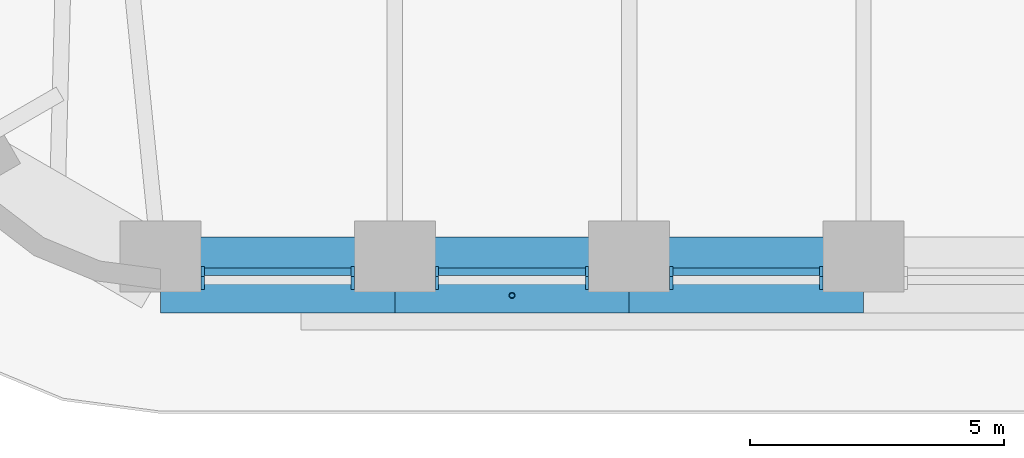
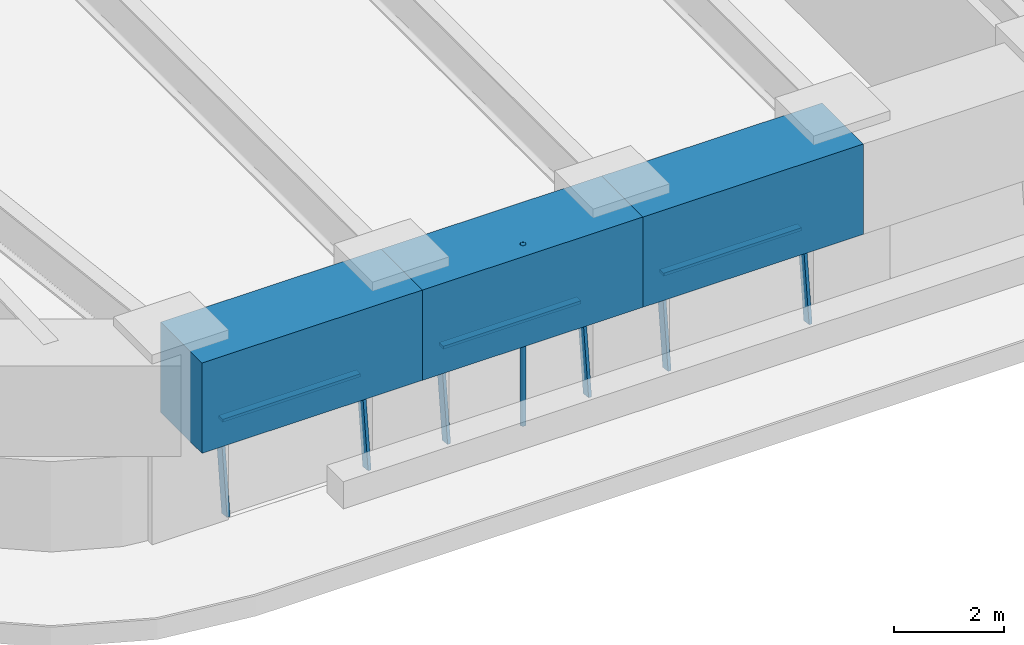
# One storey, part 2 of 20: 10 members, 3 beams, 3 elements without a shape of their own.
"""IFC4 building model written with IfcOpenShell, lengths in metres."""

import ifcopenshell
import ifcopenshell.guid

model = None  # the IFC model being written
_history = None  # IfcOwnerHistory: only IFC2X3 demands one
_inside = {}  # id of a spatial element -> (the spatial element, [elements in it])
_under = {}  # id of a project, library or spatial element -> (it, [spatial elements below it])
_declared = {}  # id of a project -> (the project, [libraries it declares])
_typed = {}  # id of a type object -> (the type object, [elements of that type])
_made_of = {}  # id of a material, layer set ... -> (it, [elements and type objects made of it])


def new_model(schema):
    """Start an empty IFC model of exactly this schema.

    Asked for "IFC4X3", IfcOpenShell would pick the latest addendum, in which some entities
    have other attributes; the version numbers below select the first issue.
    IFC2X3 requires an IfcOwnerHistory on every rooted entity: one is made here for all.
    """
    global model, _history
    if schema == "IFC4X3":
        model = ifcopenshell.file(schema_version=(4, 3, 0, 0))
    else:
        model = ifcopenshell.file(schema=schema)
    _inside.clear()
    _under.clear()
    _declared.clear()
    _typed.clear()
    _made_of.clear()
    _history = None
    if model.schema == "IFC2X3":
        org = make("IfcOrganization", Name="unknown")
        user = make(
            "IfcPersonAndOrganization",
            ThePerson=make("IfcPerson", FamilyName="unknown"),
            TheOrganization=org,
        )
        app = make(
            "IfcApplication",
            ApplicationDeveloper=org,
            Version="unknown",
            ApplicationFullName="unknown",
            ApplicationIdentifier="unknown",
        )
        _history = make(
            "IfcOwnerHistory",
            OwningUser=user,
            OwningApplication=app,
            ChangeAction="ADDED",
            CreationDate=0,
        )
    return model


def make(cls, **values):
    """One entity of the class cls with the attributes given. An attribute that is None is left unset."""
    return model.create_entity(
        cls, **{name: value for name, value in values.items() if value is not None}
    )


def rooted(cls, **values):
    """An entity with a GlobalId (a new one), such as an element, a storey or a relation."""
    return make(cls, GlobalId=ifcopenshell.guid.new(), OwnerHistory=_history, **values)


def si_unit(unit_type, name, prefix=None):
    """IfcSIUnit, for example si_unit("LENGTHUNIT", "METRE", prefix="MILLI")."""
    return make("IfcSIUnit", UnitType=unit_type, Prefix=prefix, Name=name)


def assignment(units):
    """IfcUnitAssignment: the units of a project."""
    return None if units is None else make("IfcUnitAssignment", Units=units)


def point(xyz):
    """IfcCartesianPoint."""
    return None if xyz is None else make("IfcCartesianPoint", Coordinates=xyz)


def direction(xyz):
    """IfcDirection."""
    return None if xyz is None else make("IfcDirection", DirectionRatios=xyz)


def frame(location, z_axis=None, x_axis=None):
    """IfcAxis2Placement3D, a coordinate frame: its origin and axes. An axis left out is left unset."""
    return make(
        "IfcAxis2Placement3D",
        Location=point(location),
        Axis=direction(z_axis),
        RefDirection=direction(x_axis),
    )


def frame_2d(location, x_axis=None):
    """IfcAxis2Placement2D, a coordinate frame in the plane: its origin and x axis."""
    return make(
        "IfcAxis2Placement2D", Location=point(location), RefDirection=direction(x_axis)
    )


def origin():
    """The frame at (0, 0, 0) with its axes left unset."""
    return frame((0.0, 0.0, 0.0))


def origin_2d():
    """The frame at (0, 0) in the plane with its x axis left unset."""
    return frame_2d((0.0, 0.0))


def place(relative_to, where):
    """IfcLocalPlacement: puts the frame where relative to a parent placement (None: the world)."""
    return make(
        "IfcLocalPlacement", PlacementRelTo=relative_to, RelativePlacement=where
    )


def context(
    kind, dimensions, precision=None, world=None, true_north=None, identifier=None
):
    """IfcGeometricRepresentationContext, for example the 3D "Model" context."""
    return make(
        "IfcGeometricRepresentationContext",
        ContextIdentifier=identifier,
        ContextType=kind,
        CoordinateSpaceDimension=dimensions,
        Precision=precision,
        WorldCoordinateSystem=world,
        TrueNorth=true_north,
    )


def subcontext(parent, identifier, kind, view, scale=None):
    """IfcGeometricRepresentationSubContext, for example "Body" below "Model"."""
    return make(
        "IfcGeometricRepresentationSubContext",
        ContextIdentifier=identifier,
        ContextType=kind,
        ParentContext=parent,
        TargetScale=scale,
        TargetView=view,
    )


def project(units=None, contexts=None):
    """IfcProject with its units and contexts."""
    return rooted(
        "IfcProject",
        Name="project",
        RepresentationContexts=contexts,
        UnitsInContext=assignment(units),
    )


def spatial(cls, under=None, at=None, **own):
    """A site, building, storey or space (cls), placed at a placement, below another one or the project."""
    s = rooted(cls, ObjectPlacement=at, **own)
    if under is not None:
        _under.setdefault(under.id(), (under, []))[1].append(s)
    return s


def profile(cls, at=None, kind="AREA", **sizes):
    """A parametric profile (cls). Its sizes go by their IFC names, for example OverallWidth=200.0."""
    return make(cls, ProfileType=kind, Position=at, **sizes)


def rectangle(**sizes):
    """IfcRectangleProfileDef."""
    return profile("IfcRectangleProfileDef", **sizes)


def hollow_circle(**sizes):
    """IfcCircleHollowProfileDef."""
    return profile("IfcCircleHollowProfileDef", **sizes)


def extrude(swept, where, along, depth):
    """IfcExtrudedAreaSolid: the profile swept, set in the frame where, extruded along a direction by depth."""
    return make(
        "IfcExtrudedAreaSolid",
        SweptArea=swept,
        Position=where,
        ExtrudedDirection=direction(along),
        Depth=depth,
    )


def shape(context_of_items, identifier, shape_type, items):
    """IfcShapeRepresentation: the items that make up one representation, for example the "Body"."""
    return make(
        "IfcShapeRepresentation",
        ContextOfItems=context_of_items,
        RepresentationIdentifier=identifier,
        RepresentationType=shape_type,
        Items=items,
    )


def material(Name=None, Category=None):
    """IfcMaterial."""
    return make("IfcMaterial", Name=Name, Category=Category)


def material_profile(
    of_material, cross_section, Name=None, Category=None, Priority=None
):
    """IfcMaterialProfile: a cross section and its material."""
    return make(
        "IfcMaterialProfile",
        Name=Name,
        Material=of_material,
        Profile=cross_section,
        Priority=Priority,
        Category=Category,
    )


def profile_set(profiles, Name=None, composite=None):
    """IfcMaterialProfileSet."""
    return make(
        "IfcMaterialProfileSet",
        Name=Name,
        MaterialProfiles=profiles,
        CompositeProfile=composite,
    )


def made_of(thing, what):
    """Note that an element or type object is made of a material, layer set ...; save() writes the relation."""
    if what is not None:
        _made_of.setdefault(what.id(), (what, []))[1].append(thing)
    return thing


def type_object(cls, material=None, **own):
    """A type object (cls), such as IfcWallType, which elements share."""
    return made_of(rooted(cls, **own), material)


def element(
    cls,
    number,
    at=None,
    inside=None,
    cuts=None,
    type_object=None,
    material=None,
    context=None,
    identifier="Body",
    shape_type=None,
    held_by="IfcProductDefinitionShape",
    body=None,
    shapes=None,
    **own,
):
    """One element of the class cls, such as IfcWall. Its Tag is "e" and its number.

    at: its placement. inside: the storey or other place that contains it. cuts: it is an
    opening in that element (IfcRelVoidsElement). A single representation is given by context,
    identifier, shape_type and body (its items); several are given by shapes. held_by: the class
    of the entity that holds the representations. save() writes the other relations.
    """
    e = rooted(cls, Tag="e%d" % number, ObjectPlacement=at, **own)
    if body is not None:
        shapes = [shape(context, identifier, shape_type, body)]
    if shapes is not None:
        e.Representation = make(held_by, Representations=shapes)
    if inside is not None:
        _inside.setdefault(inside.id(), (inside, []))[1].append(e)
    if cuts is not None:
        rooted(
            "IfcRelVoidsElement", RelatingBuildingElement=cuts, RelatedOpeningElement=e
        )
    if type_object is not None:
        _typed.setdefault(type_object.id(), (type_object, []))[1].append(e)
    return made_of(e, material)


def aggregate(whole, parts):
    """IfcRelAggregates: a whole, such as a stair, and the parts it consists of."""
    return rooted("IfcRelAggregates", RelatingObject=whole, RelatedObjects=parts)


def save(model, path):
    """Write the relations noted so far, then the file.

    IfcRelAggregates (storeys below a building ...), IfcRelContainedInSpatialStructure (elements
    in a storey), IfcRelDefinesByType, IfcRelAssociatesMaterial and IfcRelDeclares: one each for
    every whole, place, type object, material and project.
    """
    for whole, parts in _under.values():
        aggregate(whole, parts)
    for where, things in _inside.values():
        rooted(
            "IfcRelContainedInSpatialStructure",
            RelatedElements=things,
            RelatingStructure=where,
        )
    for kind, things in _typed.values():
        rooted("IfcRelDefinesByType", RelatedObjects=things, RelatingType=kind)
    for what, things in _made_of.values():
        rooted("IfcRelAssociatesMaterial", RelatedObjects=things, RelatingMaterial=what)
    for by, libraries in _declared.values():
        rooted("IfcRelDeclares", RelatingContext=by, RelatedDefinitions=libraries)
    model.write(path)


model = new_model("IFC4")

# Units and contexts
model_context = context("Model", 3, precision=1e-05, world=origin(), true_north=direction((0.0, 1.0)))
body_context = subcontext(model_context, "Body", "Model", "MODEL_VIEW")
ifc_project = project(units=[si_unit("LENGTHUNIT", "METRE"), si_unit("AREAUNIT", "SQUARE_METRE"), si_unit("VOLUMEUNIT", "CUBIC_METRE"), si_unit("PLANEANGLEUNIT", "RADIAN"), si_unit("MASSUNIT", "GRAM", prefix="KILO")], contexts=[model_context])

# Site, building, storey
site_placement = place(None, origin())
site = spatial("IfcSite", under=ifc_project, at=site_placement, CompositionType="ELEMENT")
building_placement = place(site_placement, origin())
building = spatial("IfcBuilding", under=site, at=building_placement, Name="Tarfa Lantern Tower", CompositionType="ELEMENT")
storey_placement = place(building_placement, frame((0.0, 0.0, 223.89990234375)))
storey = spatial("IfcBuildingStorey", under=building, at=storey_placement, Name="L50", CompositionType="ELEMENT", Elevation=223.89990234375)

# Curtain wall, members
ifc_material_1 = material(Name="Aluminium framed curtain wall", Category="aluminium")
curtain_wall_type = type_object("IfcCurtainWallType", Name="CW3 CANTED GLAZING HIGH ZONE 2000", PredefinedType="USERDEFINED", material=ifc_material_1)
curtain_wall_1_placement = place(storey_placement, origin())
curtain_wall_1 = element("IfcCurtainWall", 1, at=curtain_wall_1_placement, inside=storey, type_object=curtain_wall_type, Name="CW3 S L50", ObjectType="CURTAIN WALL", PredefinedType="USERDEFINED")
ifc_material_2 = material(Name="Aluminium mullion", Category="aluminium")
ifc_material_profile_1 = material_profile(ifc_material_2, rectangle(XDim=0.06494140625, YDim=0.199951171875, at=origin_2d()), Name="AL MULLION 65x200")
ifc_profile_set_1 = profile_set([ifc_material_profile_1], Name="Aluminium mullion")
member_type_1 = type_object("IfcMemberType", Name="CWM1 MULLION 65x200", PredefinedType="MULLION", material=ifc_profile_set_1)
member_1_placement = place(storey_placement, frame((-13.02392578125, -28.89990234375, 0.0), z_axis=(0.0, 0.124034734589, 0.992277876714), x_axis=(-1.0, 0.0, 0.0)))
member_1 = element("IfcMember", 2, at=member_1_placement, type_object=member_type_1, Name="CW3 mullion 1", PredefinedType="MULLION", context=body_context, shape_type="SweptSolid", body=[
    extrude(rectangle(XDim=0.06494140625, YDim=0.199951171875, at=origin_2d()), origin(), (0.0, 0.0, 1.0), 2.015625),
])
member_2_placement = place(storey_placement, frame((-10.070068359375, -28.89990234375, 0.0), z_axis=(0.0, 0.124034734589, 0.992277876714), x_axis=(-1.0, 0.0, 0.0)))
member_2 = element("IfcMember", 3, at=member_2_placement, type_object=member_type_1, Name="CW3 mullion 2", PredefinedType="MULLION", context=body_context, shape_type="SweptSolid", body=[
    extrude(rectangle(XDim=0.06494140625, YDim=0.199951171875, at=origin_2d()), origin(), (0.0, 0.0, 1.0), 2.015625),
])

curtain_wall_2_placement = place(storey_placement, origin())
curtain_wall_2 = element("IfcCurtainWall", 4, at=curtain_wall_2_placement, inside=storey, type_object=curtain_wall_type, Name="CW3 S L50", ObjectType="CURTAIN WALL", PredefinedType="USERDEFINED")
member_3_placement = place(storey_placement, frame((-8.405029296875, -28.89990234375, 0.0), z_axis=(0.0, 0.124034734589, 0.992277876714), x_axis=(-1.0, 0.0, 0.0)))
member_3 = element("IfcMember", 5, at=member_3_placement, type_object=member_type_1, Name="CW3 mullion 1", PredefinedType="MULLION", context=body_context, shape_type="SweptSolid", body=[
    extrude(rectangle(XDim=0.06494140625, YDim=0.199951171875, at=origin_2d()), origin(), (0.0, 0.0, 1.0), 2.015625),
])
member_4_placement = place(storey_placement, frame((-5.451416015625, -28.89990234375, 0.0), z_axis=(0.0, 0.124034734589, 0.992277876714), x_axis=(-1.0, 0.0, 0.0)))
member_4 = element("IfcMember", 6, at=member_4_placement, type_object=member_type_1, Name="CW3 mullion 2", PredefinedType="MULLION", context=body_context, shape_type="SweptSolid", body=[
    extrude(rectangle(XDim=0.06494140625, YDim=0.199951171875, at=origin_2d()), origin(), (0.0, 0.0, 1.0), 2.015625),
])

curtain_wall_3_placement = place(storey_placement, origin())
curtain_wall_3 = element("IfcCurtainWall", 7, at=curtain_wall_3_placement, inside=storey, type_object=curtain_wall_type, Name="CW3 S L50", ObjectType="CURTAIN WALL", PredefinedType="USERDEFINED")
member_5_placement = place(storey_placement, frame((-3.786376953125, -28.89990234375, 0.0), z_axis=(0.0, 0.124034734589, 0.992277876714), x_axis=(-1.0, 0.0, 0.0)))
member_5 = element("IfcMember", 8, at=member_5_placement, type_object=member_type_1, Name="CW3 mullion 1", PredefinedType="MULLION", context=body_context, shape_type="SweptSolid", body=[
    extrude(rectangle(XDim=0.06494140625, YDim=0.199951171875, at=origin_2d()), origin(), (0.0, 0.0, 1.0), 2.015625),
])
member_6_placement = place(storey_placement, frame((-0.83251953125, -28.89990234375, 0.0), z_axis=(0.0, 0.124034734589, 0.992277876714), x_axis=(-1.0, 0.0, 0.0)))
member_6 = element("IfcMember", 9, at=member_6_placement, type_object=member_type_1, Name="CW3 mullion 2", PredefinedType="MULLION", context=body_context, shape_type="SweptSolid", body=[
    extrude(rectangle(XDim=0.06494140625, YDim=0.199951171875, at=origin_2d()), origin(), (0.0, 0.0, 1.0), 2.015625),
])

# Member
ifc_material_3 = material(Name="Aluminium transom", Category="aluminium")
ifc_material_profile_2 = material_profile(ifc_material_3, rectangle(XDim=0.14990234375, YDim=0.06494140625, at=origin_2d()), Name="AL TRANSOM 150x65")
ifc_profile_set_2 = profile_set([ifc_material_profile_2], Name="Aluminium transom")
member_type_2 = type_object("IfcMemberType", Name="CWT1 TRANSOM 150x65", PredefinedType="USERDEFINED", material=ifc_profile_set_2)
member_7_placement = place(storey_placement, frame((-12.991455078125, -28.654052734375, 1.967529296875), z_axis=(1.0, 0.0, 0.0), x_axis=(0.0, 1.0, 0.0)))
member_7 = element("IfcMember", 10, at=member_7_placement, type_object=member_type_2, Name="CW3 transom 1.2", ObjectType="TRANSOM", PredefinedType="USERDEFINED", context=body_context, shape_type="SweptSolid", body=[
    extrude(rectangle(XDim=0.14990234375, YDim=0.06494140625, at=origin_2d()), origin(), (0.0, 0.0, 1.0), 2.888916015625),
])

aggregate(curtain_wall_1, [member_1, member_2, member_7])

member_8_placement = place(storey_placement, frame((-8.37255859375, -28.654052734375, 1.967529296875), z_axis=(1.0, 0.0, 0.0), x_axis=(0.0, 1.0, 0.0)))
member_8 = element("IfcMember", 11, at=member_8_placement, type_object=member_type_2, Name="CW3 transom 1.2", ObjectType="TRANSOM", PredefinedType="USERDEFINED", context=body_context, shape_type="SweptSolid", body=[
    extrude(rectangle(XDim=0.14990234375, YDim=0.06494140625, at=origin_2d()), origin(), (0.0, 0.0, 1.0), 2.888671875),
])

aggregate(curtain_wall_2, [member_3, member_4, member_8])

member_9_placement = place(storey_placement, frame((-3.75390625, -28.654052734375, 1.967529296875), z_axis=(1.0, 0.0, 0.0), x_axis=(0.0, 1.0, 0.0)))
member_9 = element("IfcMember", 12, at=member_9_placement, type_object=member_type_2, Name="CW3 transom 1.2", ObjectType="TRANSOM", PredefinedType="USERDEFINED", context=body_context, shape_type="SweptSolid", body=[
    extrude(rectangle(XDim=0.14990234375, YDim=0.06494140625, at=origin_2d()), origin(), (0.0, 0.0, 1.0), 2.888916015625),
])

aggregate(curtain_wall_3, [member_5, member_6, member_9])

# Beams
ifc_material_4 = material(Name="Concrete C80/95", Category="concrete")
ifc_material_profile_3 = material_profile(ifc_material_4, rectangle(XDim=1.5, YDim=2.0, at=origin_2d()), Name="RC 1500x2000")
ifc_profile_set_3 = profile_set([ifc_material_profile_3], Name="Concrete C80/95")
beam_type = type_object("IfcBeamType", Name="RB3 RC 1500x2000", PredefinedType="BEAM", material=ifc_profile_set_3)
beam_1_placement = place(storey_placement, frame((-13.8564453125, -28.719970703125, 3.0), z_axis=(1.0, 0.0, 0.0), x_axis=(0.0, 1.0, 0.0)))
element("IfcBeam", 13, at=beam_1_placement, inside=storey, type_object=beam_type, Name="Edge beam S0", PredefinedType="BEAM", context=body_context, shape_type="SweptSolid", body=[
    extrude(rectangle(XDim=1.5, YDim=2.0, at=origin_2d()), origin(), (0.0, 0.0, 1.0), 4.618896484375),
])
beam_2_placement = place(storey_placement, frame((-9.237548828125, -28.719970703125, 3.0), z_axis=(1.0, 0.0, 0.0), x_axis=(0.0, 1.0, 0.0)))
element("IfcBeam", 14, at=beam_2_placement, inside=storey, type_object=beam_type, Name="Edge beam S1", PredefinedType="BEAM", context=body_context, shape_type="SweptSolid", body=[
    extrude(rectangle(XDim=1.5, YDim=2.0, at=origin_2d()), origin(), (0.0, 0.0, 1.0), 4.61865234375),
])
beam_3_placement = place(storey_placement, frame((-4.618896484375, -28.719970703125, 3.0), z_axis=(1.0, 0.0, 0.0), x_axis=(0.0, 1.0, 0.0)))
element("IfcBeam", 15, at=beam_3_placement, inside=storey, type_object=beam_type, Name="Edge beam S2", PredefinedType="BEAM", context=body_context, shape_type="SweptSolid", body=[
    extrude(rectangle(XDim=1.5, YDim=2.0, at=origin_2d()), origin(), (0.0, 0.0, 1.0), 4.618896484375),
])

# Member
ifc_material_5 = material(Name="Steel S355", Category="steel")
ifc_material_profile_4 = material_profile(ifc_material_5, hollow_circle(Radius=0.05712890625, WallThickness=0.00634765625, at=origin_2d()), Name="CHS114.3x6.3")
ifc_profile_set_4 = profile_set([ifc_material_profile_4], Name="Steel S355")
member_type_3 = type_object("IfcMemberType", Name="TR1 GREEN WALL TRELLIS CHS114.3x6.3", PredefinedType="USERDEFINED", material=ifc_profile_set_4)
member_10_placement = place(storey_placement, frame((-6.92822265625, -29.1201171875, 0.0), z_axis=(0.0, 0.0, 1.0), x_axis=(1.0, 0.0, 0.0)))
element("IfcMember", 16, at=member_10_placement, inside=storey, type_object=member_type_3, Name="Trellis post S 1", ObjectType="TRELLIS", PredefinedType="USERDEFINED", context=body_context, shape_type="SweptSolid", body=[
    extrude(hollow_circle(Radius=0.05712890625, WallThickness=0.00634765625, at=origin_2d()), origin(), (0.0, 0.0, 1.0), 4.0),
])

save(model, "model.ifc")
